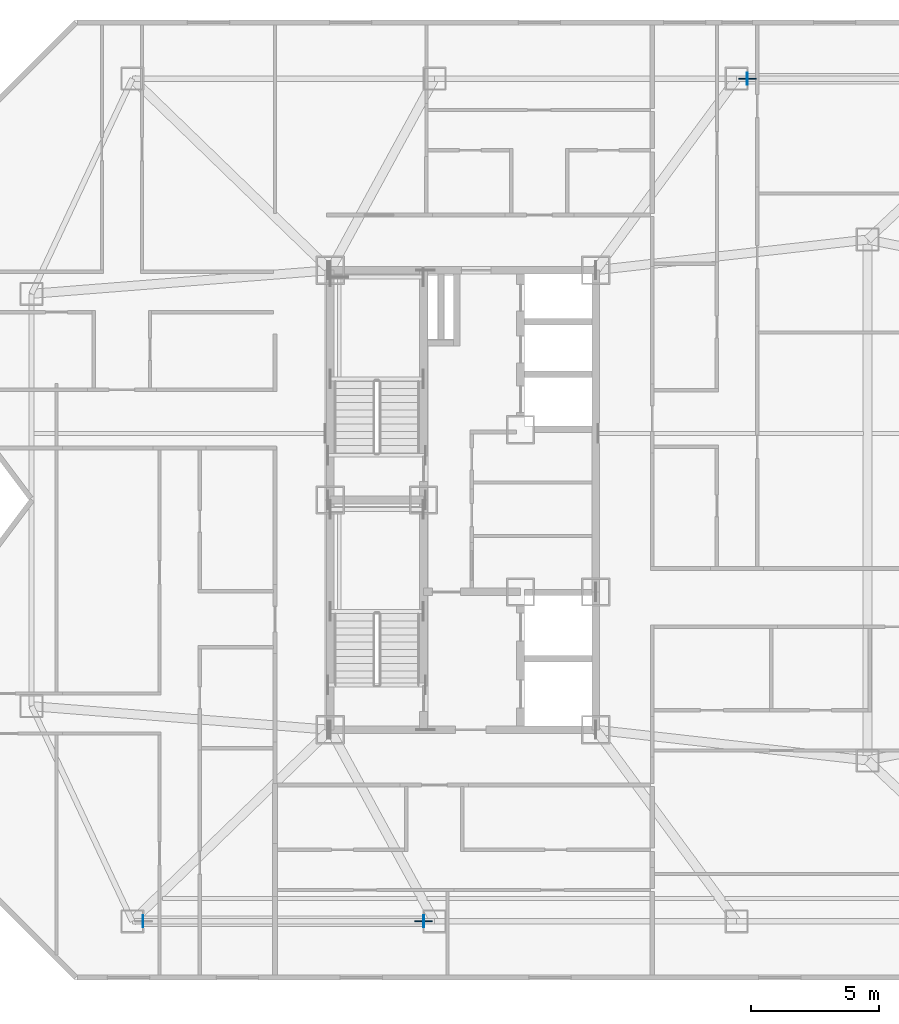
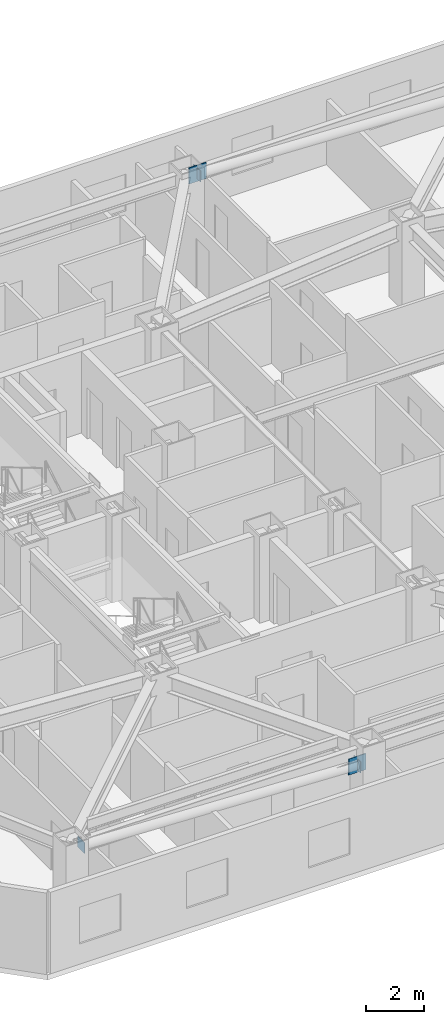
# One storey, part 8 of 17: 5 plates.
"""IFC4 building model written with IfcOpenShell, lengths in metres."""

import ifcopenshell
import ifcopenshell.guid

model = None  # the IFC model being written
_history = None  # IfcOwnerHistory: only IFC2X3 demands one
_inside = {}  # id of a spatial element -> (the spatial element, [elements in it])
_under = {}  # id of a project, library or spatial element -> (it, [spatial elements below it])
_declared = {}  # id of a project -> (the project, [libraries it declares])
_typed = {}  # id of a type object -> (the type object, [elements of that type])
_made_of = {}  # id of a material, layer set ... -> (it, [elements and type objects made of it])


def new_model(schema):
    """Start an empty IFC model of exactly this schema.

    Asked for "IFC4X3", IfcOpenShell would pick the latest addendum, in which some entities
    have other attributes; the version numbers below select the first issue.
    IFC2X3 requires an IfcOwnerHistory on every rooted entity: one is made here for all.
    """
    global model, _history
    if schema == "IFC4X3":
        model = ifcopenshell.file(schema_version=(4, 3, 0, 0))
    else:
        model = ifcopenshell.file(schema=schema)
    _inside.clear()
    _under.clear()
    _declared.clear()
    _typed.clear()
    _made_of.clear()
    _history = None
    if model.schema == "IFC2X3":
        org = make("IfcOrganization", Name="unknown")
        user = make(
            "IfcPersonAndOrganization",
            ThePerson=make("IfcPerson", FamilyName="unknown"),
            TheOrganization=org,
        )
        app = make(
            "IfcApplication",
            ApplicationDeveloper=org,
            Version="unknown",
            ApplicationFullName="unknown",
            ApplicationIdentifier="unknown",
        )
        _history = make(
            "IfcOwnerHistory",
            OwningUser=user,
            OwningApplication=app,
            ChangeAction="ADDED",
            CreationDate=0,
        )
    return model


def make(cls, **values):
    """One entity of the class cls with the attributes given. An attribute that is None is left unset."""
    return model.create_entity(
        cls, **{name: value for name, value in values.items() if value is not None}
    )


def rooted(cls, **values):
    """An entity with a GlobalId (a new one), such as an element, a storey or a relation."""
    return make(cls, GlobalId=ifcopenshell.guid.new(), OwnerHistory=_history, **values)


def si_unit(unit_type, name, prefix=None):
    """IfcSIUnit, for example si_unit("LENGTHUNIT", "METRE", prefix="MILLI")."""
    return make("IfcSIUnit", UnitType=unit_type, Prefix=prefix, Name=name)


def assignment(units):
    """IfcUnitAssignment: the units of a project."""
    return None if units is None else make("IfcUnitAssignment", Units=units)


def point(xyz):
    """IfcCartesianPoint."""
    return None if xyz is None else make("IfcCartesianPoint", Coordinates=xyz)


def direction(xyz):
    """IfcDirection."""
    return None if xyz is None else make("IfcDirection", DirectionRatios=xyz)


def frame(location, z_axis=None, x_axis=None):
    """IfcAxis2Placement3D, a coordinate frame: its origin and axes. An axis left out is left unset."""
    return make(
        "IfcAxis2Placement3D",
        Location=point(location),
        Axis=direction(z_axis),
        RefDirection=direction(x_axis),
    )


def frame_2d(location, x_axis=None):
    """IfcAxis2Placement2D, a coordinate frame in the plane: its origin and x axis."""
    return make(
        "IfcAxis2Placement2D", Location=point(location), RefDirection=direction(x_axis)
    )


def origin():
    """The frame at (0, 0, 0) with its axes left unset."""
    return frame((0.0, 0.0, 0.0))


def origin_2d():
    """The frame at (0, 0) in the plane with its x axis left unset."""
    return frame_2d((0.0, 0.0))


def place(relative_to, where):
    """IfcLocalPlacement: puts the frame where relative to a parent placement (None: the world)."""
    return make(
        "IfcLocalPlacement", PlacementRelTo=relative_to, RelativePlacement=where
    )


def context(
    kind, dimensions, precision=None, world=None, true_north=None, identifier=None
):
    """IfcGeometricRepresentationContext, for example the 3D "Model" context."""
    return make(
        "IfcGeometricRepresentationContext",
        ContextIdentifier=identifier,
        ContextType=kind,
        CoordinateSpaceDimension=dimensions,
        Precision=precision,
        WorldCoordinateSystem=world,
        TrueNorth=true_north,
    )


def subcontext(parent, identifier, kind, view, scale=None):
    """IfcGeometricRepresentationSubContext, for example "Body" below "Model"."""
    return make(
        "IfcGeometricRepresentationSubContext",
        ContextIdentifier=identifier,
        ContextType=kind,
        ParentContext=parent,
        TargetScale=scale,
        TargetView=view,
    )


def project(units=None, contexts=None):
    """IfcProject with its units and contexts."""
    return rooted(
        "IfcProject",
        Name="project",
        RepresentationContexts=contexts,
        UnitsInContext=assignment(units),
    )


def spatial(cls, under=None, at=None, **own):
    """A site, building, storey or space (cls), placed at a placement, below another one or the project."""
    s = rooted(cls, ObjectPlacement=at, **own)
    if under is not None:
        _under.setdefault(under.id(), (under, []))[1].append(s)
    return s


def profile(cls, at=None, kind="AREA", **sizes):
    """A parametric profile (cls). Its sizes go by their IFC names, for example OverallWidth=200.0."""
    return make(cls, ProfileType=kind, Position=at, **sizes)


def rectangle(**sizes):
    """IfcRectangleProfileDef."""
    return profile("IfcRectangleProfileDef", **sizes)


def extrude(swept, where, along, depth):
    """IfcExtrudedAreaSolid: the profile swept, set in the frame where, extruded along a direction by depth."""
    return make(
        "IfcExtrudedAreaSolid",
        SweptArea=swept,
        Position=where,
        ExtrudedDirection=direction(along),
        Depth=depth,
    )


def shape(context_of_items, identifier, shape_type, items):
    """IfcShapeRepresentation: the items that make up one representation, for example the "Body"."""
    return make(
        "IfcShapeRepresentation",
        ContextOfItems=context_of_items,
        RepresentationIdentifier=identifier,
        RepresentationType=shape_type,
        Items=items,
    )


def material(Name=None, Category=None):
    """IfcMaterial."""
    return make("IfcMaterial", Name=Name, Category=Category)


def layer(
    of_material, thickness, ventilated=None, Name=None, Category=None, Priority=None
):
    """IfcMaterialLayer: one layer of a wall or slab, of a material (None: an air gap)."""
    return make(
        "IfcMaterialLayer",
        Material=of_material,
        LayerThickness=thickness,
        IsVentilated=ventilated,
        Name=Name,
        Category=Category,
        Priority=Priority,
    )


def layer_set(layers, Name=None):
    """IfcMaterialLayerSet."""
    return make("IfcMaterialLayerSet", MaterialLayers=layers, LayerSetName=Name)


def made_of(thing, what):
    """Note that an element or type object is made of a material, layer set ...; save() writes the relation."""
    if what is not None:
        _made_of.setdefault(what.id(), (what, []))[1].append(thing)
    return thing


def type_object(cls, material=None, **own):
    """A type object (cls), such as IfcWallType, which elements share."""
    return made_of(rooted(cls, **own), material)


def element(
    cls,
    number,
    at=None,
    inside=None,
    cuts=None,
    type_object=None,
    material=None,
    context=None,
    identifier="Body",
    shape_type=None,
    held_by="IfcProductDefinitionShape",
    body=None,
    shapes=None,
    **own,
):
    """One element of the class cls, such as IfcWall. Its Tag is "e" and its number.

    at: its placement. inside: the storey or other place that contains it. cuts: it is an
    opening in that element (IfcRelVoidsElement). A single representation is given by context,
    identifier, shape_type and body (its items); several are given by shapes. held_by: the class
    of the entity that holds the representations. save() writes the other relations.
    """
    e = rooted(cls, Tag="e%d" % number, ObjectPlacement=at, **own)
    if body is not None:
        shapes = [shape(context, identifier, shape_type, body)]
    if shapes is not None:
        e.Representation = make(held_by, Representations=shapes)
    if inside is not None:
        _inside.setdefault(inside.id(), (inside, []))[1].append(e)
    if cuts is not None:
        rooted(
            "IfcRelVoidsElement", RelatingBuildingElement=cuts, RelatedOpeningElement=e
        )
    if type_object is not None:
        _typed.setdefault(type_object.id(), (type_object, []))[1].append(e)
    return made_of(e, material)


def aggregate(whole, parts):
    """IfcRelAggregates: a whole, such as a stair, and the parts it consists of."""
    return rooted("IfcRelAggregates", RelatingObject=whole, RelatedObjects=parts)


def save(model, path):
    """Write the relations noted so far, then the file.

    IfcRelAggregates (storeys below a building ...), IfcRelContainedInSpatialStructure (elements
    in a storey), IfcRelDefinesByType, IfcRelAssociatesMaterial and IfcRelDeclares: one each for
    every whole, place, type object, material and project.
    """
    for whole, parts in _under.values():
        aggregate(whole, parts)
    for where, things in _inside.values():
        rooted(
            "IfcRelContainedInSpatialStructure",
            RelatedElements=things,
            RelatingStructure=where,
        )
    for kind, things in _typed.values():
        rooted("IfcRelDefinesByType", RelatedObjects=things, RelatingType=kind)
    for what, things in _made_of.values():
        rooted("IfcRelAssociatesMaterial", RelatedObjects=things, RelatingMaterial=what)
    for by, libraries in _declared.values():
        rooted("IfcRelDeclares", RelatingContext=by, RelatedDefinitions=libraries)
    model.write(path)


model = new_model("IFC4")

# Units and contexts
model_context = context("Model", 3, precision=1e-05, world=origin(), true_north=direction((0.0, 1.0)))
body_context = subcontext(model_context, "Body", "Model", "MODEL_VIEW")
ifc_project = project(units=[si_unit("LENGTHUNIT", "METRE"), si_unit("AREAUNIT", "SQUARE_METRE"), si_unit("VOLUMEUNIT", "CUBIC_METRE"), si_unit("PLANEANGLEUNIT", "RADIAN"), si_unit("MASSUNIT", "GRAM", prefix="KILO")], contexts=[model_context])

# Site, building, storey
site_placement = place(None, origin())
site = spatial("IfcSite", under=ifc_project, at=site_placement, CompositionType="ELEMENT")
building_placement = place(site_placement, origin())
building = spatial("IfcBuilding", under=site, at=building_placement, Name="Khamvora Tower", CompositionType="ELEMENT")
storey_placement = place(building_placement, frame((0.0, 0.0, 192.39990234375)))
storey = spatial("IfcBuildingStorey", under=building, at=storey_placement, Name="L49", CompositionType="ELEMENT", Elevation=192.39990234375)

# Plates
ifc_material_1 = material(Name="Steel S355", Category="steel")
ifc_layer_1 = layer(ifc_material_1, 0.02490234375)
ifc_layer_set_1 = layer_set([ifc_layer_1], Name="Steel S355")
plate_type_1 = type_object("IfcPlateType", Name="PL-CAP-25", PredefinedType="SHEET", material=ifc_layer_set_1)
for number, where, z_axis, x_axis, name in (
    (1, (32.6650390625, 11.5, 2.4638671875), (0.0, 0.0, 1.0), (-1.0, 0.0, 0.0), "L49 hollow section steel end cap plate 0976"),
    (2, (21.66796875, 11.5, 2.912109375), (0.0, 0.0, 1.0), (-1.0, 0.0, 0.0), "L49 hollow section steel end cap plate 0977"),
    (3, (45.3349609375, 44.5, 2.912109375), (0.0, 0.0, 1.0), (-1.0, 0.0, 0.0), "L49 hollow section steel end cap plate 0979"),
):
    element("IfcPlate", number, at=place(storey_placement, frame(where, z_axis=z_axis, x_axis=x_axis)), inside=storey, type_object=plate_type_1, Name=name, PredefinedType="SHEET", context=body_context, shape_type="SweptSolid", body=[
        extrude(rectangle(XDim=0.02490234375, YDim=0.466064453125, at=origin_2d()), origin(), (0.0, 0.0, 1.0), 0.466064453125),
    ])
ifc_material_2 = material(Name="Steel S460", Category="steel")
ifc_layer_2 = layer(ifc_material_2, 0.0400390625)
ifc_layer_set_2 = layer_set([ifc_layer_2], Name="Steel S460")
plate_type_2 = type_object("IfcPlateType", Name="PLT-GUS-40", PredefinedType="SHEET", material=ifc_layer_set_2)
for number, where, z_axis, x_axis, name in (
    (4, (32.653076171875, 11.5, 2.35791015625), (0.0, 0.0, 1.0), (1.0, 0.0, 0.0), "L49 brace connection node gusset plate 0313"),
    (5, (45.346923828125, 44.5, 2.80419921875), (0.0, 0.0, 1.0), (1.0, 0.0, 0.0), "L49 brace connection node gusset plate 0316"),
):
    element("IfcPlate", number, at=place(storey_placement, frame(where, z_axis=z_axis, x_axis=x_axis)), inside=storey, type_object=plate_type_2, Name=name, PredefinedType="SHEET", context=body_context, shape_type="SweptSolid", body=[
        extrude(rectangle(XDim=0.679931640625, YDim=0.0400390625, at=origin_2d()), origin(), (0.0, 0.0, 1.0), 0.679931640625),
    ])

save(model, "model.ifc")
